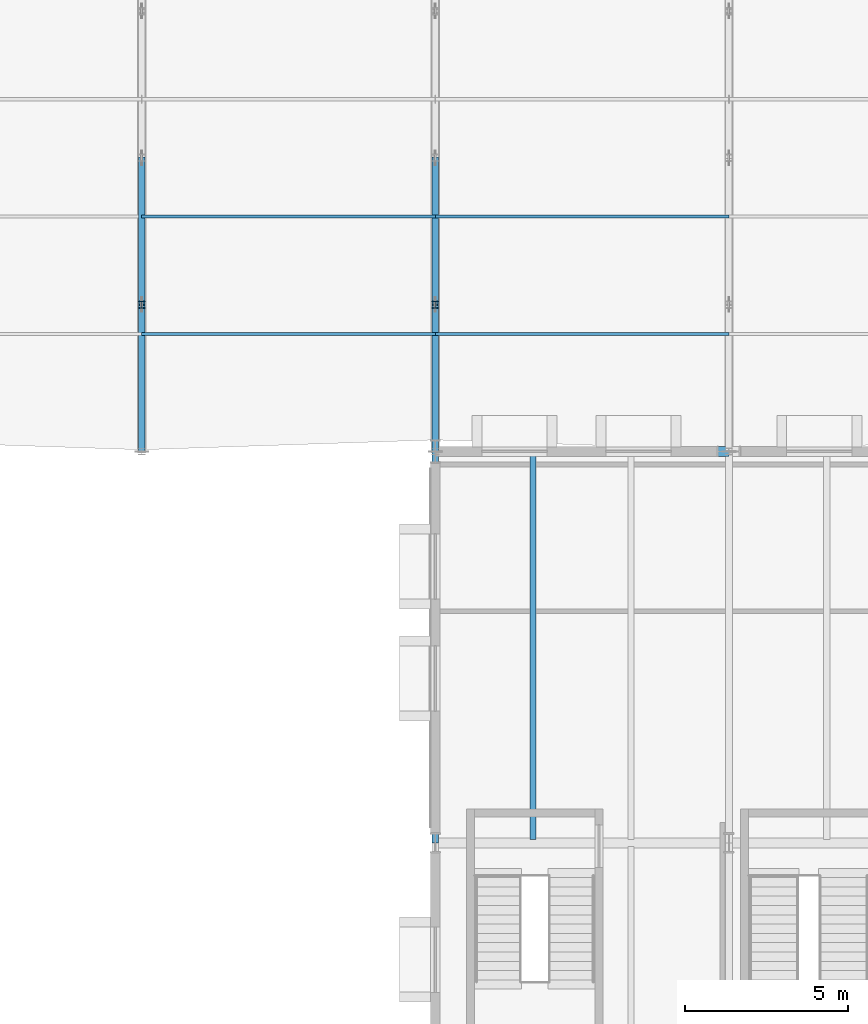
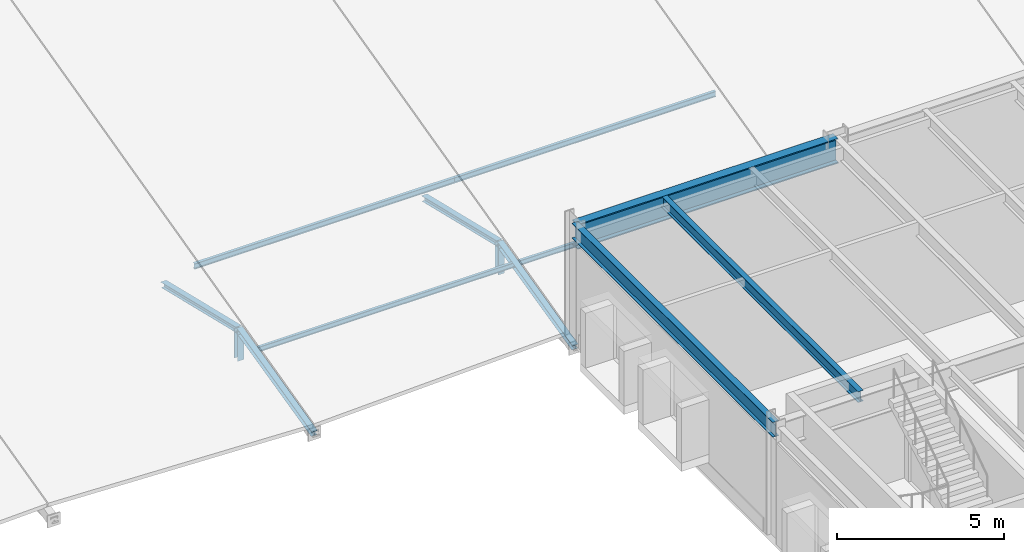
# One storey, part 11 of 67: 10 members, 3 beams.
"""IFC4 building model written with IfcOpenShell, lengths in metres."""

from ifc_helpers import new_model, si_unit, direction, frame, origin, origin_2d, place, context, subcontext, project, spatial, i_section, extrude, material, material_profile, profile_set, type_object, element, save


model = new_model("IFC4")

# Units and contexts
model_context = context("Model", 3, precision=1e-05, world=origin(), true_north=direction((0.0, 1.0)))
body_context = subcontext(model_context, "Body", "Model", "MODEL_VIEW")
ifc_project = project(units=[si_unit("LENGTHUNIT", "METRE"), si_unit("AREAUNIT", "SQUARE_METRE"), si_unit("VOLUMEUNIT", "CUBIC_METRE"), si_unit("PLANEANGLEUNIT", "RADIAN"), si_unit("MASSUNIT", "GRAM", prefix="KILO")], contexts=[model_context])

# Site, building, storey
site_placement = place(None, origin())
site = spatial("IfcSite", under=ifc_project, at=site_placement, CompositionType="ELEMENT")
building_placement = place(site_placement, origin())
building = spatial("IfcBuilding", under=site, at=building_placement, Name="Montelvaro Courts of Justice", CompositionType="ELEMENT")
storey_placement = place(building_placement, frame((0.0, 0.0, 18.89990234375)))
storey = spatial("IfcBuildingStorey", under=building, at=storey_placement, Name="L04", CompositionType="ELEMENT", Elevation=18.89990234375)

# Beams
ifc_material = material(Name="Steel S355", Category="steel")
ifc_material_profile_1 = material_profile(ifc_material, i_section(OverallWidth=0.302001953125, OverallDepth=0.909912109375, WebThickness=0.02099609375, FlangeThickness=0.0400390625, at=origin_2d()), Name="HEM 900")
ifc_profile_set_1 = profile_set([ifc_material_profile_1], Name="Steel S355")
beam_type_1 = type_object("IfcBeamType", Name="Beam_HEM900", PredefinedType="USERDEFINED", material=ifc_profile_set_1)
beam_1_placement = place(storey_placement, frame((45.0, 24.0, 3.80517578125), z_axis=(1.0, 0.0, 0.0), x_axis=(0.0, 1.0, 0.0)))
element("IfcBeam", 1, at=beam_1_placement, inside=storey, type_object=beam_type_1, Name="Beam B-31 L04", ObjectType="GIRDER", PredefinedType="USERDEFINED", context=body_context, shape_type="SweptSolid", body=[
    extrude(i_section(OverallWidth=0.302001953125, OverallDepth=0.909912109375, WebThickness=0.02099609375, FlangeThickness=0.0400390625, at=origin_2d()), origin(), (0.0, 0.0, 1.0), 9.0),
])
ifc_material_profile_2 = material_profile(ifc_material, i_section(OverallWidth=0.179931640625, OverallDepth=0.39990234375, WebThickness=0.008544921875, FlangeThickness=0.013427734375, at=origin_2d()), Name="IPE 400")
ifc_profile_set_2 = profile_set([ifc_material_profile_2], Name="Steel S355")
beam_type_2 = type_object("IfcBeamType", Name="Beam_IPE400", PredefinedType="BEAM", material=ifc_profile_set_2)
beam_2_placement = place(storey_placement, frame((48.0, 12.110107421875, 4.06005859375), z_axis=(0.0, 1.0, 0.0), x_axis=(-1.0, 0.0, 0.0)))
element("IfcBeam", 2, at=beam_2_placement, inside=storey, type_object=beam_type_2, Name="Beam B-08 L04", PredefinedType="BEAM", context=body_context, shape_type="SweptSolid", body=[
    extrude(i_section(OverallWidth=0.179931640625, OverallDepth=0.39990234375, WebThickness=0.008544921875, FlangeThickness=0.013427734375, at=origin_2d()), origin(), (0.0, 0.0, 1.0), 11.77978515625),
])
ifc_material_profile_3 = material_profile(ifc_material, i_section(OverallWidth=0.2099609375, OverallDepth=0.550048828125, WebThickness=0.010986328125, FlangeThickness=0.01708984375, at=origin_2d()), Name="IPE 550")
ifc_profile_set_3 = profile_set([ifc_material_profile_3], Name="Steel S355")
beam_type_3 = type_object("IfcBeamType", Name="Beam_IPE550", PredefinedType="BEAM", material=ifc_profile_set_3)
beam_3_placement = place(storey_placement, frame((45.0, 12.0, 3.985107421875), z_axis=(0.0, 1.0, 0.0), x_axis=(-1.0, 0.0, 0.0)))
element("IfcBeam", 3, at=beam_3_placement, inside=storey, type_object=beam_type_3, Name="Beam B-11 L04", PredefinedType="BEAM", context=body_context, shape_type="SweptSolid", body=[
    extrude(i_section(OverallWidth=0.2099609375, OverallDepth=0.550048828125, WebThickness=0.010986328125, FlangeThickness=0.01708984375, at=origin_2d()), origin(), (0.0, 0.0, 1.0), 12.0),
])

# Members
ifc_material_profile_4 = material_profile(ifc_material, i_section(OverallWidth=0.199951171875, OverallDepth=0.18994140625, WebThickness=0.006591796875, FlangeThickness=0.010009765625, at=origin_2d()), Name="HEA 200")
ifc_profile_set_4 = profile_set([ifc_material_profile_4], Name="Steel S355")
member_type_1 = type_object("IfcMemberType", Name="Mem_HEA200_Brace", PredefinedType="BRACE", material=ifc_profile_set_4)
for number, where, z_axis, x_axis, name in (
    (4, (36.0, 24.0, -0.2998046875), (0.0, 0.97263439265, 0.232340995597), (-1.0, 0.0, 0.0), "Roof Truss Web MB-02 ROOF-V3-VTR03-W1"),
    (5, (36.0, 28.5, 0.775146484375), (0.0, 0.97263439265, -0.232340995597), (-1.0, 0.0, 0.0), "Roof Truss Web MB-02 ROOF-V3-VTR03-W2"),
    (6, (45.0, 24.0, -0.2998046875), (0.0, 0.97263439265, 0.232340995597), (-1.0, 0.0, 0.0), "Roof Truss Web MB-02 ROOF-V3-VTR04-W1"),
    (7, (45.0, 28.5, 0.775146484375), (0.0, 0.97263439265, -0.232340995597), (-1.0, 0.0, 0.0), "Roof Truss Web MB-02 ROOF-V3-VTR04-W2"),
):
    element("IfcMember", number, at=place(storey_placement, frame(where, z_axis=z_axis, x_axis=x_axis)), inside=storey, type_object=member_type_1, Name=name, PredefinedType="BRACE", context=body_context, shape_type="SweptSolid", body=[
        extrude(i_section(OverallWidth=0.199951171875, OverallDepth=0.18994140625, WebThickness=0.006591796875, FlangeThickness=0.010009765625, at=origin_2d()), origin(), (0.0, 0.0, 1.0), 4.626708984375),
    ])
ifc_material_profile_5 = material_profile(ifc_material, i_section(OverallWidth=0.219970703125, OverallDepth=0.2099609375, WebThickness=0.007080078125, FlangeThickness=0.010986328125, at=origin_2d()), Name="HEA 220")
ifc_profile_set_5 = profile_set([ifc_material_profile_5], Name="Steel S355")
member_type_2 = type_object("IfcMemberType", Name="Mem_HEA220_Post", PredefinedType="POST", material=ifc_profile_set_5)
for number, where, z_axis, x_axis, name in (
    (8, (36.0, 28.5, -0.2998046875), (0.0, 0.0, 1.0), (1.0, 0.0, 0.0), "Roof Truss Post MP-03 ROOF-V3-VTR03-V1"),
    (9, (45.0, 28.5, -0.2998046875), (0.0, 0.0, 1.0), (1.0, 0.0, 0.0), "Roof Truss Post MP-03 ROOF-V3-VTR04-V1"),
):
    element("IfcMember", number, at=place(storey_placement, frame(where, z_axis=z_axis, x_axis=x_axis)), inside=storey, type_object=member_type_2, Name=name, PredefinedType="POST", context=body_context, shape_type="SweptSolid", body=[
        extrude(i_section(OverallWidth=0.219970703125, OverallDepth=0.2099609375, WebThickness=0.007080078125, FlangeThickness=0.010986328125, at=origin_2d()), origin(), (0.0, 0.0, 1.0), 1.074951171875),
    ])
ifc_material_profile_6 = material_profile(ifc_material, i_section(OverallWidth=0.091064453125, OverallDepth=0.179931640625, WebThickness=0.00537109375, FlangeThickness=0.008056640625, at=origin_2d()), Name="IPE 180")
ifc_profile_set_6 = profile_set([ifc_material_profile_6], Name="Steel S355")
member_type_3 = type_object("IfcMemberType", Name="Mem_IPE180_Purlin", PredefinedType="PURLIN", material=ifc_profile_set_6)
for number, where, z_axis, x_axis, name in (
    (10, (36.0, 27.60009765625, 0.550048828125), (1.0, 0.0, 0.0), (0.0, 1.0, 0.0), "Roof Purlin MR-01 ROOF-V3-PRL-03-1M"),
    (11, (45.0, 27.60009765625, 0.550048828125), (1.0, 0.0, 0.0), (0.0, 1.0, 0.0), "Roof Purlin MR-01 ROOF-V3-PRL-04-1M"),
):
    element("IfcMember", number, at=place(storey_placement, frame(where, z_axis=z_axis, x_axis=x_axis)), inside=storey, type_object=member_type_3, Name=name, PredefinedType="PURLIN", context=body_context, shape_type="SweptSolid", body=[
        extrude(i_section(OverallWidth=0.091064453125, OverallDepth=0.179931640625, WebThickness=0.00537109375, FlangeThickness=0.008056640625, at=origin_2d()), origin(), (0.0, 0.0, 1.0), 9.0),
    ])
ifc_material_profile_7 = material_profile(ifc_material, i_section(OverallWidth=0.10009765625, OverallDepth=0.199951171875, WebThickness=0.005615234375, FlangeThickness=0.008544921875, at=origin_2d()), Name="IPE 200")
ifc_profile_set_7 = profile_set([ifc_material_profile_7], Name="Steel S355")
member_type_4 = type_object("IfcMemberType", Name="Mem_IPE200_Purlin", PredefinedType="PURLIN", material=ifc_profile_set_7)
for number, where, z_axis, x_axis, name in (
    (12, (36.0, 31.199951171875, 1.4501953125), (1.0, 0.0, 0.0), (0.0, 1.0, 0.0), "Roof Purlin MR-02 ROOF-V3-PRL-03-2M"),
    (13, (45.0, 31.199951171875, 1.4501953125), (1.0, 0.0, 0.0), (0.0, 1.0, 0.0), "Roof Purlin MR-02 ROOF-V3-PRL-04-2M"),
):
    element("IfcMember", number, at=place(storey_placement, frame(where, z_axis=z_axis, x_axis=x_axis)), inside=storey, type_object=member_type_4, Name=name, PredefinedType="PURLIN", context=body_context, shape_type="SweptSolid", body=[
        extrude(i_section(OverallWidth=0.10009765625, OverallDepth=0.199951171875, WebThickness=0.005615234375, FlangeThickness=0.008544921875, at=origin_2d()), origin(), (0.0, 0.0, 1.0), 9.0),
    ])

save(model, "model.ifc")
